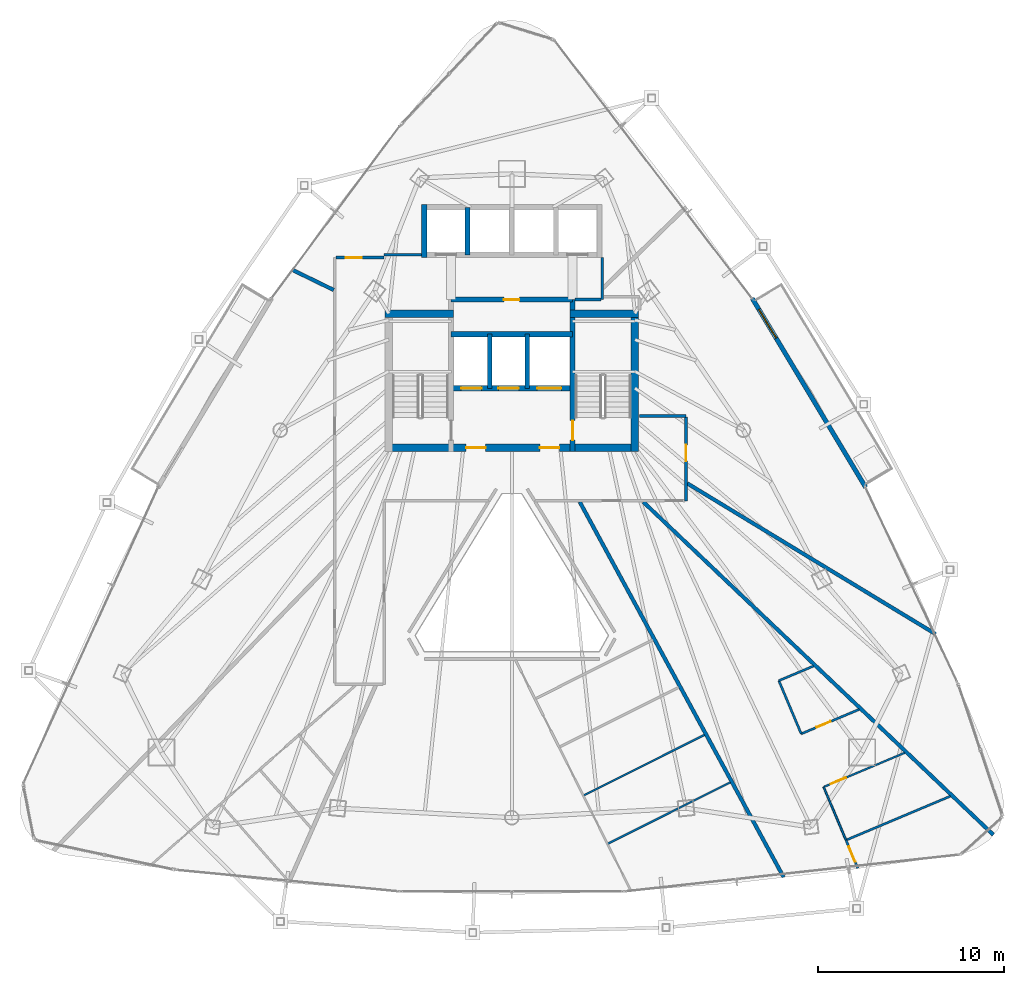
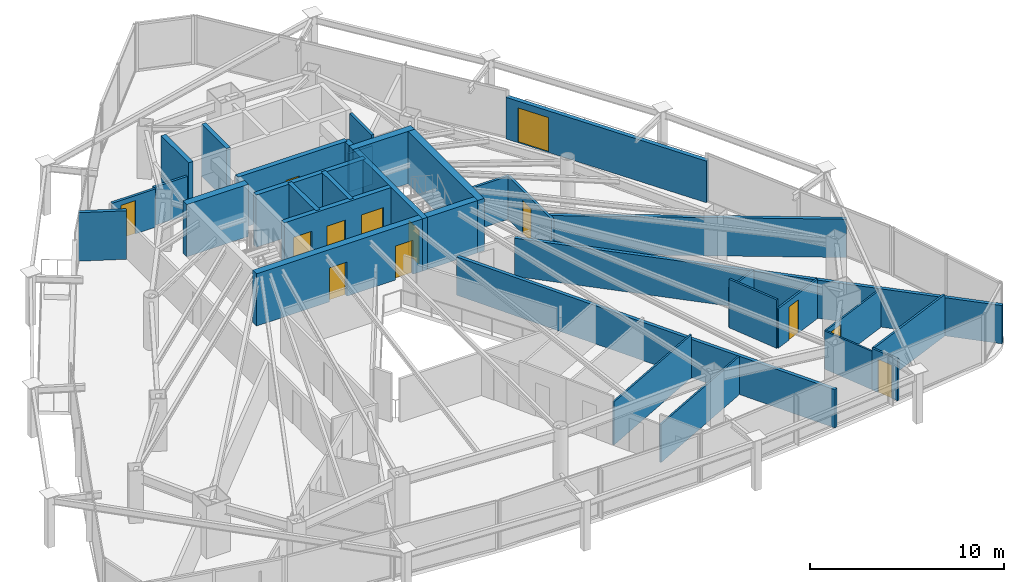
# One storey, part 27 of 31: 32 walls, 13 doors, 13 openings.
"""IFC4 building model written with IfcOpenShell, lengths in metres."""

from ifc_helpers import new_model, si_unit, direction, frame, frame_2d, origin, place, context, subcontext, project, spatial, rectangle, extrude, material, layer, layer_set, type_object, element, fill, save


model = new_model("IFC4")

# Units and contexts
model_context = context("Model", 3, precision=1e-05, world=origin(), true_north=direction((0.0, 1.0)))
body_context = subcontext(model_context, "Body", "Model", "MODEL_VIEW")
ifc_project = project(units=[si_unit("LENGTHUNIT", "METRE"), si_unit("AREAUNIT", "SQUARE_METRE"), si_unit("VOLUMEUNIT", "CUBIC_METRE"), si_unit("PLANEANGLEUNIT", "RADIAN"), si_unit("MASSUNIT", "GRAM", prefix="KILO")], contexts=[model_context])

# Site, building, storey
site_placement = place(None, origin())
site = spatial("IfcSite", under=ifc_project, at=site_placement, CompositionType="ELEMENT")
building_placement = place(site_placement, origin())
building = spatial("IfcBuilding", under=site, at=building_placement, Name="Orvanel Arch Residences", CompositionType="ELEMENT")
storey_placement = place(building_placement, frame((0.0, 0.0, 113.300048828125)))
storey = spatial("IfcBuildingStorey", under=building, at=storey_placement, Name="L31", CompositionType="ELEMENT", Elevation=113.300048828125)

# Wall, opening, door
ifc_material_1 = material(Name="Precast concrete N50 (50 MPa)", Category="concrete")
ifc_layer_1 = layer(ifc_material_1, 0.239990234375)
ifc_layer_set_1 = layer_set([ifc_layer_1], Name="Precast concrete N50 (50 MPa)")
wall_type_1 = type_object("IfcWallType", Name="EW-BAL-240", PredefinedType="SOLIDWALL", material=ifc_layer_set_1)
wall_1_placement = place(storey_placement, frame((51.9970703125, 24.56103515625, 0.0), z_axis=(0.0, 0.0, 1.0), x_axis=(-0.514362369366, 0.857572943242, 0.0)))
wall_1 = element("IfcWall", 1, at=wall_1_placement, inside=storey, type_object=wall_type_1, Name="L31 Balcony Threshold Wall Face 3", PredefinedType="SOLIDWALL", context=body_context, shape_type="SweptSolid", body=[
    extrude(rectangle(XDim=11.84375, YDim=0.239990234375, at=frame_2d((5.921875, 0.0))), origin(), (0.0, 0.0, 1.0), 2.6240234375),
])
opening_1_placement = place(wall_1_placement, frame((9.345947265625, 0.0, 0.0)))
opening_1 = element("IfcOpeningElement", 2, at=opening_1_placement, cuts=wall_1, Name="Opening DB-180", PredefinedType="OPENING", context=body_context, shape_type="SweptSolid", body=[
    extrude(rectangle(XDim=1.800048828125, YDim=2.199951171875, at=frame_2d((0.89990234375, 1.10009765625))), frame((0.0, 0.1298828125, 0.0), z_axis=(0.0, -1.0, 0.0), x_axis=(1.0, 0.0, 0.0)), (0.0, 0.0, 1.0), 0.260009765625),
])
ifc_material_2 = material(Name="Bronze-anodised aluminium AA6063-T6", Category="aluminium")
door_type_1 = type_object("IfcDoorType", Name="DR-BAL-1800", OperationType="NOTDEFINED", PredefinedType="DOOR", material=ifc_material_2)
door_1_placement = place(opening_1_placement, origin())
door_1 = element("IfcDoor", 3, at=door_1_placement, inside=storey, type_object=door_type_1, Name="DR-L31-BAL-F3 L31 Planted Balcony Access Door Face 3", OperationType="SINGLE_SWING_LEFT", OverallHeight=2.199951171875, OverallWidth=1.800048828125, PredefinedType="DOOR", context=body_context, shape_type="SweptSolid", body=[
    extrude(rectangle(XDim=1.800048828125, YDim=2.199951171875, at=frame_2d((0.89990234375, 1.10009765625))), frame((0.0, 0.02490234375, 0.0), z_axis=(0.0, -1.0, 0.0), x_axis=(1.0, 0.0, 0.0)), (0.0, 0.0, 1.0), 0.050048828125),
])
fill(opening_1, door_1)

# Walls
ifc_material_3 = material(Name="Concrete N50 (50 MPa)", Category="concrete")
ifc_layer_2 = layer(ifc_material_3, 0.25)
ifc_layer_set_2 = layer_set([ifc_layer_2], Name="Concrete N50 (50 MPa)")
wall_type_2 = type_object("IfcWallType", Name="SW-CORE-250", PredefinedType="SHEAR", material=ifc_layer_set_2)
for number, where, z_axis, x_axis, name in (
    (4, (31.824951171875, 29.889892578125, 0.0), (0.0, 0.0, 1.0), (0.0, 1.0, 0.0), "L31 Emergency Lift Inter-Shaft Wall F12"),
    (5, (33.824951171875, 29.889892578125, 0.0), (0.0, 0.0, 1.0), (0.0, 1.0, 0.0), "L31 Emergency Lift Inter-Shaft Wall F2G"),
):
    element("IfcWall", number, at=place(storey_placement, frame(where, z_axis=z_axis, x_axis=x_axis)), inside=storey, type_object=wall_type_2, Name=name, PredefinedType="SHEAR", context=body_context, shape_type="SweptSolid", body=[
        extrude(rectangle(XDim=2.900146484375, YDim=0.25, at=frame_2d((1.4501953125, 0.0))), origin(), (0.0, 0.0, 1.0), 3.300048828125),
    ])
wall_2_placement = place(storey_placement, frame((30.625, 37.050048828125, 0.0), z_axis=(0.0, 0.0, 1.0), x_axis=(0.0, 1.0, 0.0)))
element("IfcWall", 6, at=wall_2_placement, inside=storey, type_object=wall_type_2, Name="L31 Passenger Lift Inter-Shaft Wall P35", PredefinedType="SHEAR", context=body_context, shape_type="SweptSolid", body=[
    extrude(rectangle(XDim=2.550048828125, YDim=0.25, at=frame_2d((1.27490234375, 0.0))), origin(), (0.0, 0.0, 1.0), 3.300048828125),
])

# Wall, opening, door
ifc_material_4 = material(Name="Concrete S65 (65 MPa)", Category="concrete")
ifc_layer_3 = layer(ifc_material_4, 0.280029296875)
ifc_layer_set_3 = layer_set([ifc_layer_3], Name="Concrete S65 (65 MPa)")
wall_type_3 = type_object("IfcWallType", Name="SW-CORE-280", PredefinedType="SHEAR", material=ifc_layer_set_3)
wall_3_placement = place(storey_placement, frame((36.260009765625, 26.5, 0.0), z_axis=(0.0, 0.0, 1.0), x_axis=(0.0, 1.0, 0.0)))
wall_3 = element("IfcWall", 7, at=wall_3_placement, inside=storey, type_object=wall_type_3, Name="L31 East Inner Core Spine Shear Wall", PredefinedType="SHEAR", context=body_context, shape_type="SweptSolid", body=[
    extrude(rectangle(XDim=8.14990234375, YDim=0.280029296875, at=frame_2d((4.074951171875, 0.0))), origin(), (0.0, 0.0, 1.0), 3.300048828125),
])
opening_2_placement = place(wall_3_placement, frame((0.60009765625, 0.0, 0.0)))
opening_2 = element("IfcOpeningElement", 8, at=opening_2_placement, cuts=wall_3, Name="Opening DF-120", PredefinedType="OPENING", context=body_context, shape_type="SweptSolid", body=[
    extrude(rectangle(XDim=1.050048828125, YDim=2.14990234375, at=frame_2d((0.52490234375, 1.074951171875))), frame((0.0, 0.14990234375, 0.0), z_axis=(0.0, -1.0, 0.0), x_axis=(1.0, 0.0, 0.0)), (0.0, 0.0, 1.0), 0.300048828125),
])
ifc_material_5 = material(Name="Galvanised steel fire-resisting door assembly", Category="steel")
door_type_2 = type_object("IfcDoorType", Name="DR-FD120-1050", OperationType="NOTDEFINED", PredefinedType="DOOR", material=ifc_material_5)
door_2_placement = place(opening_2_placement, origin())
door_2 = element("IfcDoor", 9, at=door_2_placement, inside=storey, type_object=door_type_2, Name="DR-L31-ST2 L31 Stair 2 Fire Door", OperationType="SINGLE_SWING_RIGHT", OverallHeight=2.14990234375, OverallWidth=1.050048828125, PredefinedType="DOOR", context=body_context, shape_type="SweptSolid", body=[
    extrude(rectangle(XDim=1.050048828125, YDim=2.14990234375, at=frame_2d((0.52490234375, 1.074951171875))), frame((0.0, 0.02490234375, 0.0), z_axis=(0.0, -1.0, 0.0), x_axis=(1.0, 0.0, 0.0)), (0.0, 0.0, 1.0), 0.050048828125),
])
fill(opening_2, door_2)

# Wall, openings, doors
wall_4_placement = place(storey_placement, frame((36.260009765625, 29.889892578125, 0.0), z_axis=(0.0, 0.0, 1.0), x_axis=(-1.0, 0.0, 0.0)))
wall_4 = element("IfcWall", 10, at=wall_4_placement, inside=storey, type_object=wall_type_3, Name="L31 Emergency Lift Front Core Shear Wall", PredefinedType="SHEAR", context=body_context, shape_type="SweptSolid", body=[
    extrude(rectangle(XDim=6.52001953125, YDim=0.280029296875, at=frame_2d((3.260009765625, 0.0))), origin(), (0.0, 0.0, 1.0), 3.300048828125),
])
opening_3_placement = place(wall_4_placement, frame((4.875, 0.0, 0.0)))
opening_3 = element("IfcOpeningElement", 11, at=opening_3_placement, cuts=wall_4, Name="Opening LD-110", PredefinedType="OPENING", context=body_context, shape_type="SweptSolid", body=[
    extrude(rectangle(XDim=1.10009765625, YDim=2.199951171875, at=frame_2d((0.550048828125, 1.10009765625))), frame((0.0, 0.14990234375, 0.0), z_axis=(0.0, -1.0, 0.0), x_axis=(1.0, 0.0, 0.0)), (0.0, 0.0, 1.0), 0.300048828125),
])
opening_4_placement = place(wall_4_placement, frame((2.875, 0.0, 0.0)))
opening_4 = element("IfcOpeningElement", 12, at=opening_4_placement, cuts=wall_4, Name="Opening LD-110", PredefinedType="OPENING", context=body_context, shape_type="SweptSolid", body=[
    extrude(rectangle(XDim=1.10009765625, YDim=2.199951171875, at=frame_2d((0.550048828125, 1.10009765625))), frame((0.0, 0.14990234375, 0.0), z_axis=(0.0, -1.0, 0.0), x_axis=(1.0, 0.0, 0.0)), (0.0, 0.0, 1.0), 0.300048828125),
])
opening_5_placement = place(wall_4_placement, frame((0.60009765625, 0.0, 0.0)))
opening_5 = element("IfcOpeningElement", 13, at=opening_5_placement, cuts=wall_4, Name="Opening LD-130", PredefinedType="OPENING", context=body_context, shape_type="SweptSolid", body=[
    extrude(rectangle(XDim=1.300048828125, YDim=2.199951171875, at=frame_2d((0.64990234375, 1.10009765625))), frame((0.0, 0.14990234375, 0.0), z_axis=(0.0, -1.0, 0.0), x_axis=(1.0, 0.0, 0.0)), (0.0, 0.0, 1.0), 0.300048828125),
])
door_type_3 = type_object("IfcDoorType", Name="DR-LFT-1100", OperationType="NOTDEFINED", PredefinedType="DOOR", material=ifc_material_5)
door_3_placement = place(opening_3_placement, origin())
door_3 = element("IfcDoor", 14, at=door_3_placement, inside=storey, type_object=door_type_3, Name="LD-F1-L31 L31 Lift F1 Sliding Landing Door", OperationType="DOUBLE_DOOR_SLIDING", OverallHeight=2.199951171875, OverallWidth=1.10009765625, PredefinedType="DOOR", context=body_context, shape_type="SweptSolid", body=[
    extrude(rectangle(XDim=1.10009765625, YDim=2.199951171875, at=frame_2d((0.550048828125, 1.10009765625))), frame((0.0, 0.02490234375, 0.0), z_axis=(0.0, -1.0, 0.0), x_axis=(1.0, 0.0, 0.0)), (0.0, 0.0, 1.0), 0.050048828125),
])
fill(opening_3, door_3)
door_4_placement = place(opening_4_placement, origin())
door_4 = element("IfcDoor", 15, at=door_4_placement, inside=storey, type_object=door_type_3, Name="LD-F2-L31 L31 Lift F2 Sliding Landing Door", OperationType="DOUBLE_DOOR_SLIDING", OverallHeight=2.199951171875, OverallWidth=1.10009765625, PredefinedType="DOOR", context=body_context, shape_type="SweptSolid", body=[
    extrude(rectangle(XDim=1.10009765625, YDim=2.199951171875, at=frame_2d((0.550048828125, 1.10009765625))), frame((0.0, 0.02490234375, 0.0), z_axis=(0.0, -1.0, 0.0), x_axis=(1.0, 0.0, 0.0)), (0.0, 0.0, 1.0), 0.050048828125),
])
fill(opening_4, door_4)
door_type_4 = type_object("IfcDoorType", Name="DR-LFT-1300", OperationType="NOTDEFINED", PredefinedType="DOOR", material=ifc_material_5)
door_5_placement = place(opening_5_placement, origin())
door_5 = element("IfcDoor", 16, at=door_5_placement, inside=storey, type_object=door_type_4, Name="LD-G1-L31 L31 Lift G1 Sliding Landing Door", OperationType="DOUBLE_DOOR_SLIDING", OverallHeight=2.199951171875, OverallWidth=1.300048828125, PredefinedType="DOOR", context=body_context, shape_type="SweptSolid", body=[
    extrude(rectangle(XDim=1.300048828125, YDim=2.199951171875, at=frame_2d((0.64990234375, 1.10009765625))), frame((0.0, 0.02490234375, 0.0), z_axis=(0.0, -1.0, 0.0), x_axis=(1.0, 0.0, 0.0)), (0.0, 0.0, 1.0), 0.050048828125),
])
fill(opening_5, door_5)

# Wall
wall_5_placement = place(storey_placement, frame((29.739990234375, 32.7900390625, 0.0), z_axis=(0.0, 0.0, 1.0), x_axis=(1.0, 0.0, 0.0)))
element("IfcWall", 17, at=wall_5_placement, inside=storey, type_object=wall_type_3, Name="L31 Emergency Lift Back Core Shear Wall", PredefinedType="SHEAR", context=body_context, shape_type="SweptSolid", body=[
    extrude(rectangle(XDim=6.52001953125, YDim=0.280029296875, at=frame_2d((3.260009765625, 0.0))), origin(), (0.0, 0.0, 1.0), 3.300048828125),
])

# Wall, opening, door
wall_6_placement = place(storey_placement, frame((29.739990234375, 34.64990234375, 0.0), z_axis=(0.0, 0.0, 1.0), x_axis=(1.0, 0.0, 0.0)))
wall_6 = element("IfcWall", 18, at=wall_6_placement, inside=storey, type_object=wall_type_3, Name="L31 Core Service Band North Shear Wall", PredefinedType="SHEAR", context=body_context, shape_type="SweptSolid", body=[
    extrude(rectangle(XDim=6.52001953125, YDim=0.280029296875, at=frame_2d((3.260009765625, 0.0))), origin(), (0.0, 0.0, 1.0), 3.300048828125),
])
opening_6_placement = place(wall_6_placement, frame((2.840087890625, 0.0, 0.0)))
opening_6 = element("IfcOpeningElement", 19, at=opening_6_placement, cuts=wall_6, Name="Opening DS-082", PredefinedType="OPENING", context=body_context, shape_type="SweptSolid", body=[
    extrude(rectangle(XDim=0.820068359375, YDim=2.10009765625, at=frame_2d((0.41015625, 1.050048828125))), frame((0.0, 0.14990234375, 0.0), z_axis=(0.0, -1.0, 0.0), x_axis=(1.0, 0.0, 0.0)), (0.0, 0.0, 1.0), 0.300048828125),
])
door_type_5 = type_object("IfcDoorType", Name="DR-SVC-820", OperationType="NOTDEFINED", PredefinedType="DOOR", material=ifc_material_5)
door_6_placement = place(opening_6_placement, origin())
door_6 = element("IfcDoor", 20, at=door_6_placement, inside=storey, type_object=door_type_5, Name="DR-L31-CSVC-1 L31 Housekeeping Linen Store Door", OperationType="SINGLE_SWING_LEFT", OverallHeight=2.10009765625, OverallWidth=0.820068359375, PredefinedType="DOOR", context=body_context, shape_type="SweptSolid", body=[
    extrude(rectangle(XDim=0.820068359375, YDim=2.10009765625, at=frame_2d((0.41015625, 1.050048828125))), frame((0.0, 0.02490234375, 0.0), z_axis=(0.0, -1.0, 0.0), x_axis=(1.0, 0.0, 0.0)), (0.0, 0.0, 1.0), 0.050048828125),
])
fill(opening_6, door_6)

# Wall
wall_7_placement = place(storey_placement, frame((28.300048828125, 36.909912109375, 0.0), z_axis=(0.0, 0.0, 1.0), x_axis=(0.0, 1.0, 0.0)))
element("IfcWall", 21, at=wall_7_placement, inside=storey, type_object=wall_type_3, Name="L31 Passenger Lift Bank West Shear Wall", PredefinedType="SHEAR", context=body_context, shape_type="SweptSolid", body=[
    extrude(rectangle(XDim=2.830078125, YDim=0.280029296875, at=frame_2d((1.4150390625, 0.0))), origin(), (0.0, 0.0, 1.0), 3.300048828125),
])

# Wall, openings, doors
ifc_layer_4 = layer(ifc_material_4, 0.39990234375)
ifc_layer_set_4 = layer_set([ifc_layer_4], Name="Concrete S65 (65 MPa)")
wall_type_4 = type_object("IfcWallType", Name="SW-CORE-400", PredefinedType="SHEAR", material=ifc_layer_set_4)
wall_8_placement = place(storey_placement, frame((26.199951171875, 26.699951171875, 0.0), z_axis=(0.0, 0.0, 1.0), x_axis=(1.0, 0.0, 0.0)))
wall_8 = element("IfcWall", 22, at=wall_8_placement, inside=storey, type_object=wall_type_4, Name="L31 South Core Shear Wall", PredefinedType="SHEAR", context=body_context, shape_type="SweptSolid", body=[
    extrude(rectangle(XDim=13.60009765625, YDim=0.39990234375, at=frame_2d((6.800048828125, 0.0))), origin(), (0.0, 0.0, 1.0), 3.300048828125),
])
opening_7_placement = place(wall_8_placement, frame((4.35009765625, 0.0, 0.0)))
opening_7 = element("IfcOpeningElement", 23, at=opening_7_placement, cuts=wall_8, Name="Opening DF-060", PredefinedType="OPENING", context=body_context, shape_type="SweptSolid", body=[
    extrude(rectangle(XDim=1.050048828125, YDim=2.14990234375, at=frame_2d((0.52490234375, 1.074951171875))), frame((0.0, 0.2099609375, 0.0), z_axis=(0.0, -1.0, 0.0), x_axis=(1.0, 0.0, 0.0)), (0.0, 0.0, 1.0), 0.419921875),
])
opening_8_placement = place(wall_8_placement, frame((8.300048828125, 0.0, 0.0)))
opening_8 = element("IfcOpeningElement", 24, at=opening_8_placement, cuts=wall_8, Name="Opening DF-060", PredefinedType="OPENING", context=body_context, shape_type="SweptSolid", body=[
    extrude(rectangle(XDim=1.050048828125, YDim=2.14990234375, at=frame_2d((0.52490234375, 1.074951171875))), frame((0.0, 0.2099609375, 0.0), z_axis=(0.0, -1.0, 0.0), x_axis=(1.0, 0.0, 0.0)), (0.0, 0.0, 1.0), 0.419921875),
])
door_type_6 = type_object("IfcDoorType", Name="DR-FD60-1050", OperationType="NOTDEFINED", PredefinedType="DOOR", material=ifc_material_5)
door_7_placement = place(opening_7_placement, origin())
door_7 = element("IfcDoor", 25, at=door_7_placement, inside=storey, type_object=door_type_6, Name="DR-L31-FFL-W L31 West Smoke Lobby Door", OperationType="SINGLE_SWING_LEFT", OverallHeight=2.14990234375, OverallWidth=1.050048828125, PredefinedType="DOOR", context=body_context, shape_type="SweptSolid", body=[
    extrude(rectangle(XDim=1.050048828125, YDim=2.14990234375, at=frame_2d((0.52490234375, 1.074951171875))), frame((0.0, 0.02490234375, 0.0), z_axis=(0.0, -1.0, 0.0), x_axis=(1.0, 0.0, 0.0)), (0.0, 0.0, 1.0), 0.050048828125),
])
fill(opening_7, door_7)
door_8_placement = place(opening_8_placement, origin())
door_8 = element("IfcDoor", 26, at=door_8_placement, inside=storey, type_object=door_type_6, Name="DR-L31-FFL-E L31 East Smoke Lobby Door", OperationType="SINGLE_SWING_RIGHT", OverallHeight=2.14990234375, OverallWidth=1.050048828125, PredefinedType="DOOR", context=body_context, shape_type="SweptSolid", body=[
    extrude(rectangle(XDim=1.050048828125, YDim=2.14990234375, at=frame_2d((0.52490234375, 1.074951171875))), frame((0.0, 0.02490234375, 0.0), z_axis=(0.0, -1.0, 0.0), x_axis=(1.0, 0.0, 0.0)), (0.0, 0.0, 1.0), 0.050048828125),
])
fill(opening_8, door_8)

# Walls
wall_9_placement = place(storey_placement, frame((26.199951171875, 33.89990234375, 0.0), z_axis=(0.0, 0.0, 1.0), x_axis=(1.0, 0.0, 0.0)))
element("IfcWall", 27, at=wall_9_placement, inside=storey, type_object=wall_type_4, Name="L31 West Stair North Shear Wall", PredefinedType="SHEAR", context=body_context, shape_type="SweptSolid", body=[
    extrude(rectangle(XDim=3.679931640625, YDim=0.39990234375, at=frame_2d((1.83984375, 0.0))), origin(), (0.0, 0.0, 1.0), 3.300048828125),
])
wall_10_placement = place(storey_placement, frame((39.60009765625, 26.5, 0.0), z_axis=(0.0, 0.0, 1.0), x_axis=(0.0, 1.0, 0.0)))
element("IfcWall", 28, at=wall_10_placement, inside=storey, type_object=wall_type_4, Name="L31 East Stair Shear Wall", PredefinedType="SHEAR", context=body_context, shape_type="SweptSolid", body=[
    extrude(rectangle(XDim=7.60009765625, YDim=0.39990234375, at=frame_2d((3.800048828125, 0.0))), origin(), (0.0, 0.0, 1.0), 3.300048828125),
])
wall_11_placement = place(storey_placement, frame((36.1201171875, 33.89990234375, 0.0), z_axis=(0.0, 0.0, 1.0), x_axis=(1.0, 0.0, 0.0)))
element("IfcWall", 29, at=wall_11_placement, inside=storey, type_object=wall_type_4, Name="L31 East Stair North Shear Wall", PredefinedType="SHEAR", context=body_context, shape_type="SweptSolid", body=[
    extrude(rectangle(XDim=3.679931640625, YDim=0.39990234375, at=frame_2d((1.83984375, 0.0))), origin(), (0.0, 0.0, 1.0), 3.300048828125),
])
ifc_material_6 = material(Name="Fire-rated plasterboard lined steel stud partition", Category="steel")
ifc_layer_5 = layer(ifc_material_6, 0.14990234375)
ifc_layer_set_5 = layer_set([ifc_layer_5], Name="Fire-rated plasterboard lined steel stud partition")
wall_type_5 = type_object("IfcWallType", Name="W-COR-150", PredefinedType="PARTITIONING", material=ifc_layer_set_5)
wall_12_placement = place(storey_placement, frame((37.85009765625, 34.64990234375, 0.0), z_axis=(0.0, 0.0, 1.0), x_axis=(0.0, 1.0, 0.0)))
element("IfcWall", 30, at=wall_12_placement, inside=storey, type_object=wall_type_5, Name="L31 Passenger Lift Lobby East Closure Wall", PredefinedType="PARTITIONING", context=body_context, shape_type="SweptSolid", body=[
    extrude(rectangle(XDim=2.260009765625, YDim=0.14990234375, at=frame_2d((1.1298828125, 0.0))), origin(), (0.0, 0.0, 1.0), 3.06005859375),
])
wall_13_placement = place(storey_placement, frame((36.385009765625, 34.64990234375, 0.0), z_axis=(0.0, 0.0, 1.0), x_axis=(1.0, 0.0, 0.0)))
element("IfcWall", 31, at=wall_13_placement, inside=storey, type_object=wall_type_5, Name="L31 Passenger Lift Lobby South-East Wall", PredefinedType="PARTITIONING", context=body_context, shape_type="SweptSolid", body=[
    extrude(rectangle(XDim=1.405029296875, YDim=0.14990234375, at=frame_2d((0.70263671875, 0.0))), origin(), (0.0, 0.0, 1.0), 2.425048828125),
])

# Wall, opening, door
wall_14_placement = place(storey_placement, frame((23.56005859375, 36.89990234375, 0.0), z_axis=(0.0, 0.0, 1.0), x_axis=(1.0, 0.0, 0.0)))
wall_14 = element("IfcWall", 32, at=wall_14_placement, inside=storey, type_object=wall_type_5, Name="L31 Corridor Fire-Rated Partition", PredefinedType="PARTITIONING", context=body_context, shape_type="SweptSolid", body=[
    extrude(rectangle(XDim=2.58984375, YDim=0.14990234375, at=frame_2d((1.294921875, 0.0))), origin(), (0.0, 0.0, 1.0), 2.412841796875),
])
opening_9_placement = place(wall_14_placement, frame((0.514892578125, 0.0, 0.0)))
opening_9 = element("IfcOpeningElement", 33, at=opening_9_placement, cuts=wall_14, Name="Opening DI-088", PredefinedType="OPENING", context=body_context, shape_type="SweptSolid", body=[
    extrude(rectangle(XDim=0.8798828125, YDim=2.10009765625, at=frame_2d((0.43994140625, 1.050048828125))), frame((0.0, 0.0849609375, 0.0), z_axis=(0.0, -1.0, 0.0), x_axis=(1.0, 0.0, 0.0)), (0.0, 0.0, 1.0), 0.169921875),
])
ifc_material_7 = material(Name="Solid-core European oak veneer fire door leaf", Category="wood")
door_type_7 = type_object("IfcDoorType", Name="DR-INT-880", OperationType="NOTDEFINED", PredefinedType="DOOR", material=ifc_material_7)
door_9_placement = place(opening_9_placement, origin())
door_9 = element("IfcDoor", 34, at=door_9_placement, inside=storey, type_object=door_type_7, Name="DR-L31-SHRD-FB6 L31 Co-Working Study Office F Door", OperationType="SINGLE_SWING_LEFT", OverallHeight=2.10009765625, OverallWidth=0.8798828125, PredefinedType="DOOR", context=body_context, shape_type="SweptSolid", body=[
    extrude(rectangle(XDim=0.8798828125, YDim=2.10009765625, at=frame_2d((0.43994140625, 1.050048828125))), frame((0.0, 0.02490234375, 0.0), z_axis=(0.0, -1.0, 0.0), x_axis=(1.0, 0.0, 0.0)), (0.0, 0.0, 1.0), 0.050048828125),
])
fill(opening_9, door_9)

# Wall
wall_15_placement = place(storey_placement, frame((39.85009765625, 28.39990234375, 0.0), z_axis=(0.0, 0.0, 1.0), x_axis=(1.0, 0.0, 0.0)))
element("IfcWall", 35, at=wall_15_placement, inside=storey, type_object=wall_type_5, Name="L31 Corridor Fire-Rated Partition", PredefinedType="PARTITIONING", context=body_context, shape_type="SweptSolid", body=[
    extrude(rectangle(XDim=2.5, YDim=0.14990234375, at=frame_2d((1.25, 0.0))), origin(), (0.0, 0.0, 1.0), 2.720947265625),
])

# Wall, opening, door
wall_16_placement = place(storey_placement, frame((42.35009765625, 28.340087890625, 0.0), z_axis=(0.0, 0.0, 1.0), x_axis=(0.0, -1.0, 0.0)))
wall_16 = element("IfcWall", 36, at=wall_16_placement, inside=storey, type_object=wall_type_5, Name="L31 Corridor Fire-Rated Partition", PredefinedType="PARTITIONING", context=body_context, shape_type="SweptSolid", body=[
    extrude(rectangle(XDim=4.489990234375, YDim=0.14990234375, at=frame_2d((2.2451171875, 0.0))), origin(), (0.0, 0.0, 1.0), 2.720947265625),
])
opening_10_placement = place(wall_16_placement, frame((1.486083984375, 0.0, 0.0)))
opening_10 = element("IfcOpeningElement", 37, at=opening_10_placement, cuts=wall_16, Name="Opening DI-088", PredefinedType="OPENING", context=body_context, shape_type="SweptSolid", body=[
    extrude(rectangle(XDim=0.8798828125, YDim=2.10009765625, at=frame_2d((0.43994140625, 1.050048828125))), frame((0.0, 0.0849609375, 0.0), z_axis=(0.0, -1.0, 0.0), x_axis=(1.0, 0.0, 0.0)), (0.0, 0.0, 1.0), 0.169921875),
])
door_10_placement = place(opening_10_placement, origin())
door_10 = element("IfcDoor", 38, at=door_10_placement, inside=storey, type_object=door_type_7, Name="DR-L31-SHRD-FB4 L31 Co-Working Study Office D Door", OperationType="SINGLE_SWING_LEFT", OverallHeight=2.10009765625, OverallWidth=0.8798828125, PredefinedType="DOOR", context=body_context, shape_type="SweptSolid", body=[
    extrude(rectangle(XDim=0.8798828125, YDim=2.10009765625, at=frame_2d((0.43994140625, 1.050048828125))), frame((0.0, 0.02490234375, 0.0), z_axis=(0.0, -1.0, 0.0), x_axis=(1.0, 0.0, 0.0)), (0.0, 0.0, 1.0), 0.050048828125),
])
fill(opening_10, door_10)

# Walls
wall_17_placement = place(storey_placement, frame((26.14990234375, 37.050048828125, 0.0), z_axis=(0.0, 0.0, 1.0), x_axis=(1.0, 0.0, 0.0)))
element("IfcWall", 39, at=wall_17_placement, inside=storey, type_object=wall_type_5, Name="L31 Core Perimeter Partition", PredefinedType="PARTITIONING", context=body_context, shape_type="SweptSolid", body=[
    extrude(rectangle(XDim=2.0, YDim=0.14990234375, at=frame_2d((1.0, 0.0))), origin(), (0.0, 0.0, 1.0), 2.412841796875),
])
ifc_layer_6 = layer(ifc_material_6, 0.199951171875)
ifc_layer_set_6 = layer_set([ifc_layer_6], Name="Fire-rated plasterboard lined steel stud partition")
wall_type_6 = type_object("IfcWallType", Name="W-DEM-200", PredefinedType="PARTITIONING", material=ifc_layer_set_6)
wall_18_placement = place(storey_placement, frame((36.64599609375, 23.7900390625, 0.0), z_axis=(0.0, 0.0, 1.0), x_axis=(0.477391569207, -0.878690667784, 0.0)))
element("IfcWall", 40, at=wall_18_placement, inside=storey, type_object=wall_type_6, Name="L31 Inter-Tenancy Acoustic Demising Wall", PredefinedType="PARTITIONING", context=body_context, shape_type="SweptSolid", body=[
    extrude(rectangle(XDim=22.918212890625, YDim=0.199951171875, at=frame_2d((11.458984375, 0.0))), origin(), (0.0, 0.0, 1.0), 2.412841796875),
])
wall_19_placement = place(storey_placement, frame((21.215087890625, 36.248046875, 0.0), z_axis=(0.0, 0.0, 1.0), x_axis=(0.898821522371, -0.438314808012, 0.0)))
element("IfcWall", 41, at=wall_19_placement, inside=storey, type_object=wall_type_6, Name="L31 Inter-Tenancy Acoustic Demising Wall", PredefinedType="PARTITIONING", context=body_context, shape_type="SweptSolid", body=[
    extrude(rectangle(XDim=2.475341796875, YDim=0.199951171875, at=frame_2d((1.23779296875, 0.0))), origin(), (0.0, 0.0, 1.0), 3.06005859375),
])
wall_20_placement = place(storey_placement, frame((40.055908203125, 23.7900390625, 0.0), z_axis=(0.0, 0.0, 1.0), x_axis=(0.724633427165, -0.68913452695, 0.0)))
element("IfcWall", 42, at=wall_20_placement, inside=storey, type_object=wall_type_6, Name="L31 Inter-Tenancy Acoustic Demising Wall", PredefinedType="PARTITIONING", context=body_context, shape_type="SweptSolid", body=[
    extrude(rectangle(XDim=25.9208984375, YDim=0.199951171875, at=frame_2d((12.96044921875, 0.0))), origin(), (0.0, 0.0, 1.0), 2.412841796875),
])
wall_21_placement = place(storey_placement, frame((55.7529296875, 16.69189453125, 0.0), z_axis=(0.0, 0.0, 1.0), x_axis=(-0.85489976131, 0.518793213248, 0.0)))
element("IfcWall", 43, at=wall_21_placement, inside=storey, type_object=wall_type_6, Name="L31 Inter-Tenancy Acoustic Demising Wall", PredefinedType="PARTITIONING", context=body_context, shape_type="SweptSolid", body=[
    extrude(rectangle(XDim=15.607666015625, YDim=0.199951171875, at=frame_2d((7.8037109375, 0.0))), origin(), (0.0, 0.0, 1.0), 2.412841796875),
])
ifc_material_8 = material(Name="Acoustic plasterboard lined twin-stud partition", Category="gypsum")
ifc_layer_7 = layer(ifc_material_8, 0.10009765625)
ifc_layer_set_7 = layer_set([ifc_layer_7], Name="Acoustic plasterboard lined twin-stud partition")
wall_type_7 = type_object("IfcWallType", Name="W-INT-100", PredefinedType="PARTITIONING", material=ifc_layer_set_7)
wall_22_placement = place(storey_placement, frame((38.134033203125, 5.43701171875, 0.0), z_axis=(0.0, 0.0, 1.0), x_axis=(0.894182030014, 0.447703581849, 0.0)))
element("IfcWall", 44, at=wall_22_placement, inside=storey, type_object=wall_type_7, Name="L31 Studio A Internal Partition", PredefinedType="PARTITIONING", context=body_context, shape_type="SweptSolid", body=[
    extrude(rectangle(XDim=7.373291015625, YDim=0.10009765625, at=frame_2d((3.6865234375, 0.0))), origin(), (0.0, 0.0, 1.0), 2.412841796875),
])
wall_23_placement = place(storey_placement, frame((36.8359375, 8.030029296875, 0.0), z_axis=(0.0, 0.0, 1.0), x_axis=(0.894205618721, 0.447656465884, 0.0)))
element("IfcWall", 45, at=wall_23_placement, inside=storey, type_object=wall_type_7, Name="L31 Studio A Internal Partition", PredefinedType="PARTITIONING", context=body_context, shape_type="SweptSolid", body=[
    extrude(rectangle(XDim=7.27587890625, YDim=0.10009765625, at=frame_2d((3.637939453125, 0.0))), origin(), (0.0, 0.0, 1.0), 2.720947265625),
])

# Wall, opening, door
wall_24_placement = place(storey_placement, frame((54.090087890625, 10.325927734375, 0.0), z_axis=(0.0, 0.0, 1.0), x_axis=(-0.921538100995, -0.388287945234, 0.0)))
wall_24 = element("IfcWall", 46, at=wall_24_placement, inside=storey, type_object=wall_type_7, Name="L31 Studio C Internal Partition", PredefinedType="PARTITIONING", context=body_context, shape_type="SweptSolid", body=[
    extrude(rectangle(XDim=4.725830078125, YDim=0.10009765625, at=frame_2d((2.36279296875, 0.0))), origin(), (0.0, 0.0, 1.0), 2.412841796875),
])
opening_11_placement = place(wall_24_placement, frame((3.428955078125, 0.0, 0.0)))
opening_11 = element("IfcOpeningElement", 47, at=opening_11_placement, cuts=wall_24, Name="Opening DI-088", PredefinedType="OPENING", context=body_context, shape_type="SweptSolid", body=[
    extrude(rectangle(XDim=0.8798828125, YDim=2.10009765625, at=frame_2d((0.43994140625, 1.050048828125))), frame((0.0, 0.06005859375, 0.0), z_axis=(0.0, -1.0, 0.0), x_axis=(1.0, 0.0, 0.0)), (0.0, 0.0, 1.0), 0.1201171875),
])
door_11_placement = place(opening_11_placement, origin())
door_11 = element("IfcDoor", 48, at=door_11_placement, inside=storey, type_object=door_type_7, Name="DR-L31-C-DIN1 L31 Studio C Dining Room 1 Door", OperationType="SINGLE_SWING_LEFT", OverallHeight=2.10009765625, OverallWidth=0.8798828125, PredefinedType="DOOR", context=body_context, shape_type="SweptSolid", body=[
    extrude(rectangle(XDim=0.8798828125, YDim=2.10009765625, at=frame_2d((0.43994140625, 1.050048828125))), frame((0.0, 0.02490234375, 0.0), z_axis=(0.0, -1.0, 0.0), x_axis=(1.0, 0.0, 0.0)), (0.0, 0.0, 1.0), 0.050048828125),
])
fill(opening_11, door_11)

# Walls
wall_25_placement = place(storey_placement, frame((49.735107421875, 8.490966796875, 0.0), z_axis=(0.0, 0.0, 1.0), x_axis=(0.388074634892, -0.921627949746, 0.0)))
element("IfcWall", 49, at=wall_25_placement, inside=storey, type_object=wall_type_7, Name="L31 Studio C Internal Partition", PredefinedType="PARTITIONING", context=body_context, shape_type="SweptSolid", body=[
    extrude(rectangle(XDim=3.094482421875, YDim=0.10009765625, at=frame_2d((1.54736328125, 0.0))), origin(), (0.0, 0.0, 1.0), 2.412841796875),
])
ifc_layer_8 = layer(ifc_material_8, 0.1201171875)
ifc_layer_set_8 = layer_set([ifc_layer_8], Name="Acoustic plasterboard lined twin-stud partition")
wall_type_8 = type_object("IfcWallType", Name="W-WET-120", PredefinedType="PARTITIONING", material=ifc_layer_set_8)
wall_26_placement = place(storey_placement, frame((49.195068359375, 14.98193359375, 0.0), z_axis=(0.0, 0.0, 1.0), x_axis=(-0.921624013763, -0.38808398222, 0.0)))
element("IfcWall", 50, at=wall_26_placement, inside=storey, type_object=wall_type_8, Name="L31 Studio C Bathroom Partition", PredefinedType="PARTITIONING", context=body_context, shape_type="SweptSolid", body=[
    extrude(rectangle(XDim=2.0224609375, YDim=0.1201171875, at=frame_2d((1.01123046875, 0.0))), origin(), (0.0, 0.0, 1.0), 2.491943359375),
])
wall_27_placement = place(storey_placement, frame((47.3310546875, 14.197021484375, 0.0), z_axis=(0.0, 0.0, 1.0), x_axis=(0.388229743903, -0.921562621827, 0.0)))
element("IfcWall", 51, at=wall_27_placement, inside=storey, type_object=wall_type_8, Name="L31 Studio C Bathroom Partition", PredefinedType="PARTITIONING", context=body_context, shape_type="SweptSolid", body=[
    extrude(rectangle(XDim=3.095947265625, YDim=0.1201171875, at=frame_2d((1.5478515625, 0.0))), origin(), (0.0, 0.0, 1.0), 3.06005859375),
])

# Wall, opening, door
wall_28_placement = place(storey_placement, frame((48.532958984375, 11.343994140625, 0.0), z_axis=(0.0, 0.0, 1.0), x_axis=(0.921534547548, 0.388296378653, 0.0)))
wall_28 = element("IfcWall", 52, at=wall_28_placement, inside=storey, type_object=wall_type_8, Name="L31 Studio C Bathroom Partition", PredefinedType="PARTITIONING", context=body_context, shape_type="SweptSolid", body=[
    extrude(rectangle(XDim=3.373779296875, YDim=0.1201171875, at=frame_2d((1.68701171875, 0.0))), origin(), (0.0, 0.0, 1.0), 2.491943359375),
])
opening_12_placement = place(wall_28_placement, frame((0.89404296875, 0.0, 0.0)))
opening_12 = element("IfcOpeningElement", 53, at=opening_12_placement, cuts=wall_28, Name="Opening DW-082", PredefinedType="OPENING", context=body_context, shape_type="SweptSolid", body=[
    extrude(rectangle(XDim=0.820068359375, YDim=2.10009765625, at=frame_2d((0.41015625, 1.050048828125))), frame((0.0, 0.070068359375, 0.0), z_axis=(0.0, -1.0, 0.0), x_axis=(1.0, 0.0, 0.0)), (0.0, 0.0, 1.0), 0.14013671875),
])
door_type_8 = type_object("IfcDoorType", Name="DR-WET-820", OperationType="NOTDEFINED", PredefinedType="DOOR", material=ifc_material_7)
door_12_placement = place(opening_12_placement, origin())
door_12 = element("IfcDoor", 54, at=door_12_placement, inside=storey, type_object=door_type_8, Name="DR-L31-C-BATH L31 Studio C Bathroom Door", OperationType="SINGLE_SWING_RIGHT", OverallHeight=2.10009765625, OverallWidth=0.820068359375, PredefinedType="DOOR", context=body_context, shape_type="SweptSolid", body=[
    extrude(rectangle(XDim=0.820068359375, YDim=2.10009765625, at=frame_2d((0.41015625, 1.050048828125))), frame((0.0, 0.02490234375, 0.0), z_axis=(0.0, -1.0, 0.0), x_axis=(1.0, 0.0, 0.0)), (0.0, 0.0, 1.0), 0.050048828125),
])
fill(opening_12, door_12)

wall_29_placement = place(storey_placement, frame((50.93603515625, 5.638916015625, 0.0), z_axis=(0.0, 0.0, 1.0), x_axis=(0.3883160894, -0.92152624201, 0.0)))
wall_29 = element("IfcWall", 55, at=wall_29_placement, inside=storey, type_object=wall_type_8, Name="L31 Studio C Internal Partition", PredefinedType="PARTITIONING", context=body_context, shape_type="SweptSolid", body=[
    extrude(rectangle(XDim=1.642822265625, YDim=0.1201171875, at=frame_2d((0.8212890625, 0.0))), origin(), (0.0, 0.0, 1.0), 2.618896484375),
])
opening_13_placement = place(wall_29_placement, frame((0.381103515625, 0.0, 0.0)))
opening_13 = element("IfcOpeningElement", 56, at=opening_13_placement, cuts=wall_29, Name="Opening DI-088", PredefinedType="OPENING", context=body_context, shape_type="SweptSolid", body=[
    extrude(rectangle(XDim=0.8798828125, YDim=2.10009765625, at=frame_2d((0.43994140625, 1.050048828125))), frame((0.0, 0.070068359375, 0.0), z_axis=(0.0, -1.0, 0.0), x_axis=(1.0, 0.0, 0.0)), (0.0, 0.0, 1.0), 0.14013671875),
])
door_13_placement = place(opening_13_placement, origin())
door_13 = element("IfcDoor", 57, at=door_13_placement, inside=storey, type_object=door_type_7, Name="DR-L31-C-KIT L31 Studio C Kitchenette Door", OperationType="SINGLE_SWING_LEFT", OverallHeight=2.10009765625, OverallWidth=0.8798828125, PredefinedType="DOOR", context=body_context, shape_type="SweptSolid", body=[
    extrude(rectangle(XDim=0.8798828125, YDim=2.10009765625, at=frame_2d((0.43994140625, 1.050048828125))), frame((0.0, 0.02490234375, 0.0), z_axis=(0.0, -1.0, 0.0), x_axis=(1.0, 0.0, 0.0)), (0.0, 0.0, 1.0), 0.050048828125),
])
fill(opening_13, door_13)

# Wall
wall_30_placement = place(storey_placement, frame((50.93603515625, 5.638916015625, 0.0), z_axis=(0.0, 0.0, 1.0), x_axis=(0.921613448603, 0.388109071466, 0.0)))
element("IfcWall", 58, at=wall_30_placement, inside=storey, type_object=wall_type_8, Name="L31 Studio C Internal Partition", PredefinedType="PARTITIONING", context=body_context, shape_type="SweptSolid", body=[
    extrude(rectangle(XDim=6.07861328125, YDim=0.1201171875, at=frame_2d((3.039306640625, 0.0))), origin(), (0.0, 0.0, 1.0), 2.618896484375),
])

save(model, "model.ifc")
